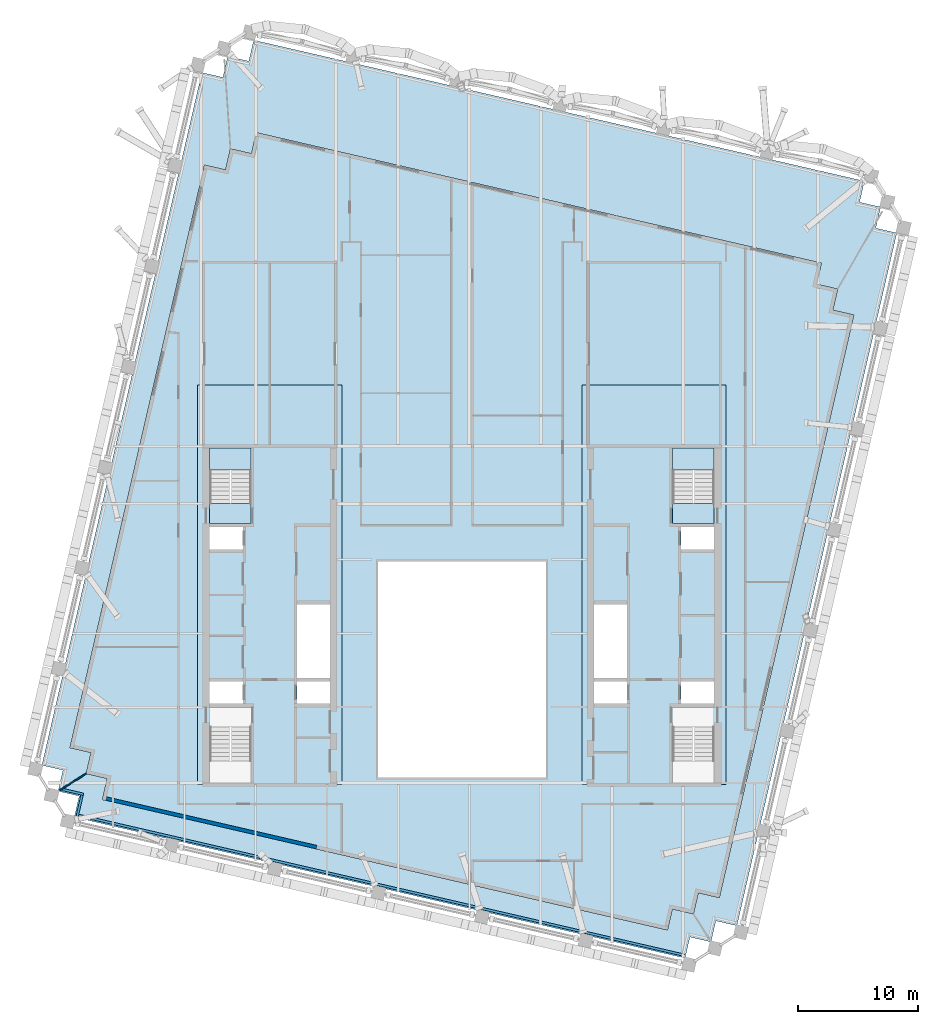
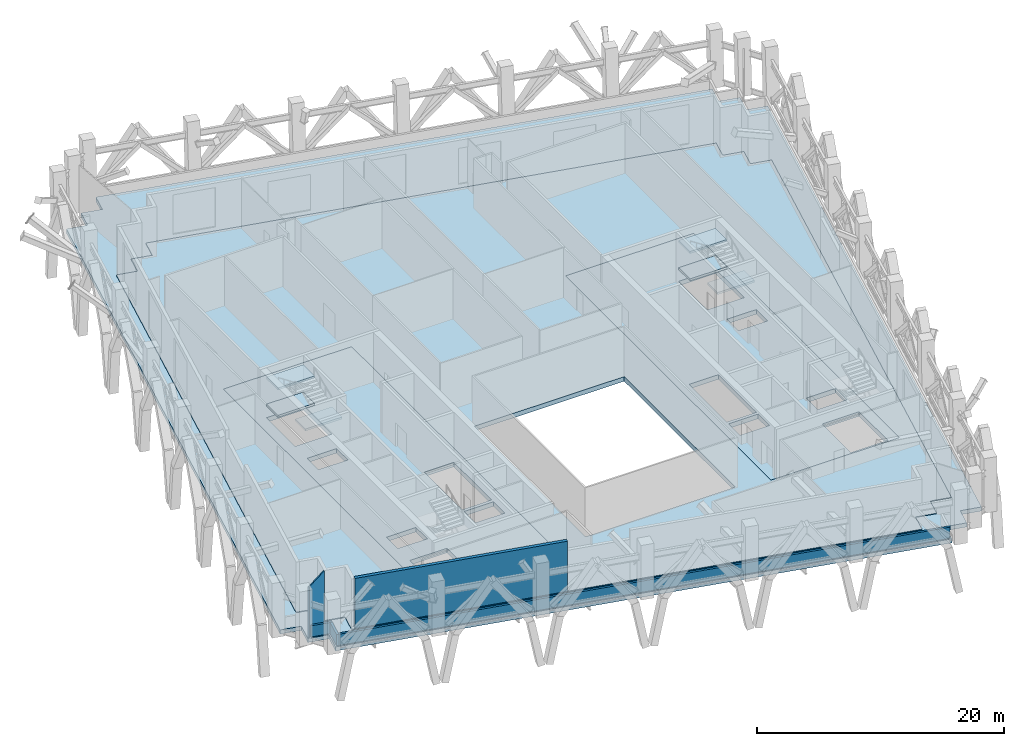
# One storey, part 5 of 19: 10 slabs, 5 walls, 2 elements without a shape of their own.
"""IFC4 building model written with IfcOpenShell, lengths in metres."""

from ifc_helpers import new_model, si_unit, direction, frame, frame_2d, origin, place, context, subcontext, project, spatial, polyline, rectangle, outline, extrude, material, layer, layer_set, type_object, element, aggregate, save


model = new_model("IFC4")

# Units and contexts
model_context = context("Model", 3, precision=1e-05, world=origin(), true_north=direction((0.0, 1.0)))
body_context = subcontext(model_context, "Body", "Model", "MODEL_VIEW")
ifc_project = project(units=[si_unit("LENGTHUNIT", "METRE"), si_unit("AREAUNIT", "SQUARE_METRE"), si_unit("VOLUMEUNIT", "CUBIC_METRE"), si_unit("PLANEANGLEUNIT", "RADIAN"), si_unit("MASSUNIT", "GRAM", prefix="KILO")], contexts=[model_context])

# Site, building, storey
site_placement = place(None, origin())
site = spatial("IfcSite", under=ifc_project, at=site_placement, CompositionType="ELEMENT")
building_placement = place(site_placement, origin())
building = spatial("IfcBuilding", under=site, at=building_placement, Name="Ogive Exchange Tower", CompositionType="ELEMENT")
storey_placement = place(building_placement, frame((0.0, 0.0, 297.60009765625)))
storey = spatial("IfcBuildingStorey", under=building, at=storey_placement, Name="L65", CompositionType="ELEMENT", Elevation=297.60009765625)

# Slabs
ifc_material_1 = material(Name="Concrete C50/60", Category="concrete")
ifc_layer_1 = layer(ifc_material_1, 0.449951171875)
ifc_layer_set_1 = layer_set([ifc_layer_1], Name="Composite floor slab 450")
slab_type_1 = type_object("IfcSlabType", Name="Composite floor slab 450", PredefinedType="FLOOR", material=ifc_layer_set_1)
slab_1_placement = place(storey_placement, frame((0.0, 0.0, -0.4501953125)))
element("IfcSlab", 1, at=slab_1_placement, inside=storey, type_object=slab_type_1, Name="Composite floor slab", PredefinedType="FLOOR", context=body_context, shape_type="SweptSolid", body=[
    extrude(outline(polyline([(-29.537109375, -2.0830078125), (-31.291015625, -1.67822265625), (-30.88623046875, 0.07568359375), (-32.64013671875, 0.480712890625), (-21.4375, 49.004150390625), (-19.68359375, 48.599365234375), (-19.27880859375, 50.353271484375), (-17.52490234375, 49.9482421875), (-17.119873046875, 51.7021484375), (29.942138671875, 40.8369140625), (29.537109375, 39.0830078125), (31.291015625, 38.67822265625), (30.88623046875, 36.92431640625), (32.64013671875, 36.519287109375), (21.4375, -12.004150390625), (19.68359375, -11.599365234375), (19.27880859375, -13.353271484375), (17.52490234375, -12.9482421875), (17.119873046875, -14.7021484375), (-29.942138671875, -3.8369140625), (-29.537109375, -2.0830078125)]), holes=[polyline([(7.0, -2.0), (7.0, 16.0), (-7.0, 16.0), (-7.0, -2.0), (7.0, -2.0)]), polyline([(-22.0, -2.60009765625), (-10.0, -2.60009765625), (-10.0, 30.699951171875), (-22.0, 30.699951171875), (-22.0, -2.60009765625)]), polyline([(10.0, -2.60009765625), (22.0, -2.60009765625), (22.0, 30.699951171875), (10.0, 30.699951171875), (10.0, -2.60009765625)])]), origin(), (0.0, 0.0, 1.0), 0.4501953125),
])
ifc_material_2 = material(Name="Concrete C70/85", Category="concrete")
ifc_layer_2 = layer(ifc_material_2, 0.449951171875)
ifc_layer_set_2 = layer_set([ifc_layer_2], Name="Core floor slab 450")
slab_type_2 = type_object("IfcSlabType", Name="Core floor slab 450", PredefinedType="FLOOR", material=ifc_layer_set_2)
slab_2_placement = place(storey_placement, frame((0.0, 0.0, -0.4501953125)))
element("IfcSlab", 2, at=slab_2_placement, inside=storey, type_object=slab_type_2, Name="Core floor slab", PredefinedType="FLOOR", context=body_context, shape_type="SweptSolid", body=[
    extrude(outline(polyline([(-22.0, -2.60009765625), (-22.0, 30.699951171875), (-10.0, 30.699951171875), (-10.0, -2.60009765625), (-22.0, -2.60009765625)]), holes=[polyline([(-17.550048828125, 2.196044921875), (-21.0, 2.196044921875), (-21.0, -2.449951171875), (-17.550048828125, -2.449951171875), (-17.550048828125, 2.196044921875)]), polyline([(-18.25, 5.992919921875), (-21.0, 5.992919921875), (-21.0, 4.14990234375), (-18.25, 4.14990234375), (-18.25, 5.992919921875)]), polyline([(-11.0, 5.992919921875), (-13.75, 5.992919921875), (-13.75, 4.14990234375), (-11.0, 4.14990234375), (-11.0, 5.992919921875)]), polyline([(-13.75, 12.42138671875), (-13.75, 6.29296875), (-11.0, 6.29296875), (-11.0, 12.42138671875), (-13.75, 12.42138671875)]), polyline([(-18.25, 18.85009765625), (-21.0, 18.85009765625), (-21.0, 17.007080078125), (-18.25, 17.007080078125), (-18.25, 18.85009765625)]), polyline([(-21.0, 25.449951171875), (-21.0, 20.803955078125), (-17.550048828125, 20.803955078125), (-17.550048828125, 25.449951171875), (-21.0, 25.449951171875)])]), origin(), (0.0, 0.0, 1.0), 0.4501953125),
])
slab_3_placement = place(storey_placement, frame((0.0, 0.0, -0.4501953125)))
element("IfcSlab", 3, at=slab_3_placement, inside=storey, type_object=slab_type_2, Name="Core floor slab", PredefinedType="FLOOR", context=body_context, shape_type="SweptSolid", body=[
    extrude(outline(polyline([(10.0, -2.60009765625), (10.0, 30.699951171875), (22.0, 30.699951171875), (22.0, -2.60009765625), (10.0, -2.60009765625)]), holes=[polyline([(21.0, 2.196044921875), (17.550048828125, 2.196044921875), (17.550048828125, -2.449951171875), (21.0, -2.449951171875), (21.0, 2.196044921875)]), polyline([(13.75, 5.992919921875), (11.0, 5.992919921875), (11.0, 4.14990234375), (13.75, 4.14990234375), (13.75, 5.992919921875)]), polyline([(21.0, 5.992919921875), (18.25, 5.992919921875), (18.25, 4.14990234375), (21.0, 4.14990234375), (21.0, 5.992919921875)]), polyline([(11.0, 12.42138671875), (11.0, 6.29296875), (13.75, 6.29296875), (13.75, 12.42138671875), (11.0, 12.42138671875)]), polyline([(21.0, 18.85009765625), (18.25, 18.85009765625), (18.25, 17.007080078125), (21.0, 17.007080078125), (21.0, 18.85009765625)]), polyline([(17.550048828125, 25.449951171875), (17.550048828125, 20.803955078125), (21.0, 20.803955078125), (21.0, 25.449951171875), (17.550048828125, 25.449951171875)])]), origin(), (0.0, 0.0, 1.0), 0.4501953125),
])
ifc_layer_3 = layer(ifc_material_1, 0.39990234375)
ifc_layer_set_3 = layer_set([ifc_layer_3], Name="Loggia deck 400")
slab_type_3 = type_object("IfcSlabType", Name="Loggia deck 400", PredefinedType="FLOOR", material=ifc_layer_set_3)
slab_4_placement = place(storey_placement, frame((0.0, 0.0, -0.4501953125)))
element("IfcSlab", 4, at=slab_4_placement, inside=storey, type_object=slab_type_3, Name="Loggia deck", PredefinedType="FLOOR", context=body_context, shape_type="SweptSolid", body=[
    extrude(outline(polyline([(-31.8759765625, -3.54443359375), (-33.6298828125, -3.1396484375), (-33.224853515625, -1.3857421875), (-34.978759765625, -0.980712890625), (-21.65966796875, 56.710693359375), (-19.90576171875, 56.305908203125), (-19.500732421875, 58.059814453125), (-17.746826171875, 57.65478515625), (-17.342041015625, 59.40869140625), (33.52001953125, 47.666259765625), (33.115234375, 45.912353515625), (34.868896484375, 45.507568359375), (34.464111328125, 43.753662109375), (36.218017578125, 43.3486328125), (22.89892578125, -14.343017578125), (21.14501953125, -13.93798828125), (20.739990234375, -15.69189453125), (18.986083984375, -15.286865234375), (18.581298828125, -17.040771484375), (-32.28076171875, -5.29833984375), (-31.8759765625, -3.54443359375)]), holes=[polyline([(17.52490234375, -12.9482421875), (19.27880859375, -13.353271484375), (19.68359375, -11.599365234375), (21.4375, -12.004150390625), (32.64013671875, 36.519287109375), (30.88623046875, 36.92431640625), (31.291015625, 38.67822265625), (29.537109375, 39.0830078125), (29.942138671875, 40.8369140625), (-17.119873046875, 51.7021484375), (-17.52490234375, 49.9482421875), (-19.27880859375, 50.353271484375), (-19.68359375, 48.599365234375), (-21.4375, 49.004150390625), (-32.64013671875, 0.480712890625), (-30.88623046875, 0.07568359375), (-31.291015625, -1.67822265625), (-29.537109375, -2.0830078125), (-29.942138671875, -3.8369140625), (17.119873046875, -14.7021484375), (17.52490234375, -12.9482421875)])]), origin(), (0.0, 0.0, 1.0), 0.400146484375),
])

# Stair, slabs
ifc_material_3 = material(Name="Concrete C40/50", Category="concrete")
stair_type = type_object("IfcStairType", Name="Exit stair 1650 wide", PredefinedType="HALF_TURN_STAIR", material=ifc_material_3)
stair_1_placement = place(storey_placement, origin())
stair_1 = element("IfcStair", 5, at=stair_1_placement, inside=storey, type_object=stair_type, Name="L65 exit stair ST2", PredefinedType="HALF_TURN_STAIR")
ifc_layer_4 = layer(ifc_material_3, 0.199951171875)
ifc_layer_set_4 = layer_set([ifc_layer_4], Name="Stair landing 200 slab")
slab_type_4 = type_object("IfcSlabType", Name="Stair landing 200 slab", PredefinedType="LANDING", material=ifc_layer_set_4)
slab_5_placement = place(storey_placement, frame((0.0, 0.0, 1.14990234375)))
slab_5 = element("IfcSlab", 6, at=slab_5_placement, type_object=slab_type_4, Name="ST2 landing 1", PredefinedType="LANDING", context=body_context, shape_type="SweptSolid", body=[
    extrude(outline(polyline([(-17.550048828125, 23.60791015625), (-17.550048828125, 25.449951171875), (-21.0, 25.449951171875), (-21.0, 23.60791015625), (-17.550048828125, 23.60791015625)])), origin(), (0.0, 0.0, 1.0), 0.199951171875),
])
slab_6_placement = place(storey_placement, frame((0.0, 0.0, 2.5)))
slab_6 = element("IfcSlab", 7, at=slab_6_placement, type_object=slab_type_4, Name="ST2 landing 2", PredefinedType="LANDING", context=body_context, shape_type="SweptSolid", body=[
    extrude(outline(polyline([(-17.550048828125, 19.14990234375), (-17.550048828125, 20.800048828125), (-21.0, 20.800048828125), (-21.0, 19.14990234375), (-17.550048828125, 19.14990234375)])), origin(), (0.0, 0.0, 1.0), 0.199951171875),
])
slab_7_placement = place(storey_placement, frame((0.0, 0.0, 3.849853515625)))
slab_7 = element("IfcSlab", 8, at=slab_7_placement, type_object=slab_type_4, Name="ST2 landing 3", PredefinedType="LANDING", context=body_context, shape_type="SweptSolid", body=[
    extrude(outline(polyline([(-17.550048828125, 23.60791015625), (-17.550048828125, 25.449951171875), (-21.0, 25.449951171875), (-21.0, 23.60791015625), (-17.550048828125, 23.60791015625)])), origin(), (0.0, 0.0, 1.0), 0.199951171875),
])
aggregate(stair_1, [slab_5, slab_6, slab_7])

stair_2_placement = place(storey_placement, origin())
stair_2 = element("IfcStair", 9, at=stair_2_placement, inside=storey, type_object=stair_type, Name="L65 exit stair ST4", PredefinedType="HALF_TURN_STAIR")
slab_8_placement = place(storey_placement, frame((0.0, 0.0, 1.14990234375)))
slab_8 = element("IfcSlab", 10, at=slab_8_placement, type_object=slab_type_4, Name="ST4 landing 1", PredefinedType="LANDING", context=body_context, shape_type="SweptSolid", body=[
    extrude(outline(polyline([(21.0, 23.60791015625), (21.0, 25.449951171875), (17.550048828125, 25.449951171875), (17.550048828125, 23.60791015625), (21.0, 23.60791015625)])), origin(), (0.0, 0.0, 1.0), 0.199951171875),
])
slab_9_placement = place(storey_placement, frame((0.0, 0.0, 2.5)))
slab_9 = element("IfcSlab", 11, at=slab_9_placement, type_object=slab_type_4, Name="ST4 landing 2", PredefinedType="LANDING", context=body_context, shape_type="SweptSolid", body=[
    extrude(outline(polyline([(21.0, 19.14990234375), (21.0, 20.800048828125), (17.550048828125, 20.800048828125), (17.550048828125, 19.14990234375), (21.0, 19.14990234375)])), origin(), (0.0, 0.0, 1.0), 0.199951171875),
])
slab_10_placement = place(storey_placement, frame((0.0, 0.0, 3.849853515625)))
slab_10 = element("IfcSlab", 12, at=slab_10_placement, type_object=slab_type_4, Name="ST4 landing 3", PredefinedType="LANDING", context=body_context, shape_type="SweptSolid", body=[
    extrude(outline(polyline([(21.0, 23.60791015625), (21.0, 25.449951171875), (17.550048828125, 25.449951171875), (17.550048828125, 23.60791015625), (21.0, 23.60791015625)])), origin(), (0.0, 0.0, 1.0), 0.199951171875),
])
aggregate(stair_2, [slab_8, slab_9, slab_10])

# Walls
ifc_material_4 = material(Name="Precast concrete C40/50", Category="concrete")
ifc_layer_5 = layer(ifc_material_4, 0.300048828125)
ifc_layer_set_5 = layer_set([ifc_layer_5], Name="Limestone-faced wall 300")
wall_type_1 = type_object("IfcWallType", Name="Limestone-faced wall 300", PredefinedType="STANDARD", material=ifc_layer_set_5)
wall_1_placement = place(storey_placement, frame((-29.6162109375, -3.75830078125, 0.0), z_axis=(0.0, 0.0, 1.0), x_axis=(0.974371744197, -0.224943779886, 0.0)))
element("IfcWall", 13, at=wall_1_placement, inside=storey, type_object=wall_type_1, Name="External wall S1", PredefinedType="STANDARD", context=body_context, shape_type="SweptSolid", body=[
    extrude(rectangle(XDim=17.984130859375, YDim=0.300048828125, at=frame_2d((8.9921875, 0.0))), origin(), (0.0, 0.0, 1.0), 4.949951171875),
])
ifc_material_5 = material(Name="Laminated safety glass in steel frame", Category="steel")
ifc_layer_6 = layer(ifc_material_5, 0.10009765625)
ifc_layer_set_6 = layer_set([ifc_layer_6], Name="Loggia end screen 100")
wall_type_2 = type_object("IfcWallType", Name="Loggia end screen 100", PredefinedType="STANDARD", material=ifc_layer_set_6)
wall_2_placement = place(storey_placement, frame((-31.291015625, -1.67822265625, -0.050048828125), z_axis=(0.0, 0.0, 1.0), x_axis=(-0.84807753525, -0.529872148923, 0.0)))
element("IfcWall", 14, at=wall_2_placement, inside=storey, type_object=wall_type_2, Name="Loggia end screen C4", PredefinedType="STANDARD", context=body_context, shape_type="SweptSolid", body=[
    extrude(rectangle(XDim=2.596435546875, YDim=0.10009765625, at=frame_2d((1.29833984375, 0.0))), origin(), (0.0, 0.0, 1.0), 5.0),
])
ifc_layer_7 = layer(ifc_material_4, 0.199951171875)
ifc_layer_set_7 = layer_set([ifc_layer_7], Name="Plant deck parapet 200")
wall_type_3 = type_object("IfcWallType", Name="Plant deck parapet 200", PredefinedType="STANDARD", material=ifc_layer_set_7)
wall_3_placement = place(storey_placement, frame((-31.91943359375, -5.156005859375, -0.050048828125), z_axis=(0.0, 0.0, 1.0), x_axis=(0.974370681559, -0.224948382787, 0.0)))
element("IfcWall", 15, at=wall_3_placement, inside=storey, type_object=wall_type_3, Name="Plant deck parapet 1", PredefinedType="STANDARD", context=body_context, shape_type="SweptSolid", body=[
    extrude(rectangle(XDim=51.760009765625, YDim=0.199951171875, at=frame_2d((25.8798828125, 0.0))), origin(), (0.0, 0.0, 1.0), 1.099853515625),
])
for number, where, z_axis, x_axis, name in (
    (16, (-33.2685546875, -2.997314453125, -0.050048828125), (0.0, 0.0, 1.0), (0.974386623598, -0.224879318197, 0.0), "Plant deck parapet 19"),
    (17, (-31.634521484375, -3.47705078125, -0.050048828125), (0.0, 0.0, 1.0), (-0.225008086135, -0.974356896201, 0.0), "Plant deck parapet 20"),
):
    element("IfcWall", number, at=place(storey_placement, frame(where, z_axis=z_axis, x_axis=x_axis)), inside=storey, type_object=wall_type_3, Name=name, PredefinedType="STANDARD", context=body_context, shape_type="SweptSolid", body=[
        extrude(rectangle(XDim=1.800048828125, YDim=0.199951171875, at=frame_2d((0.89990234375, 0.0))), origin(), (0.0, 0.0, 1.0), 1.099853515625),
    ])

save(model, "model.ifc")
